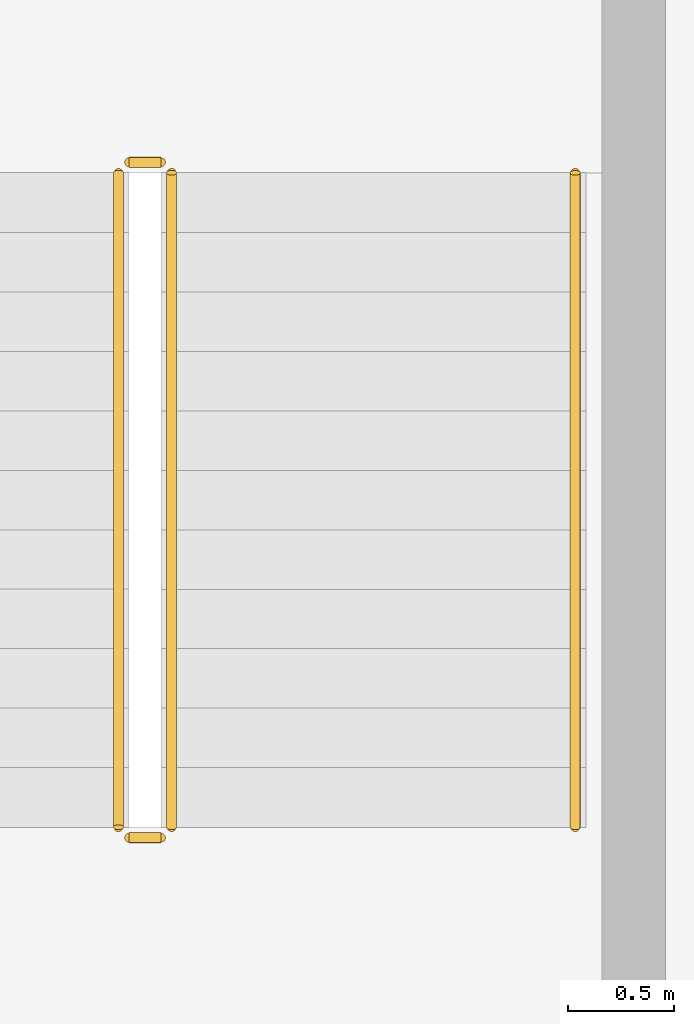
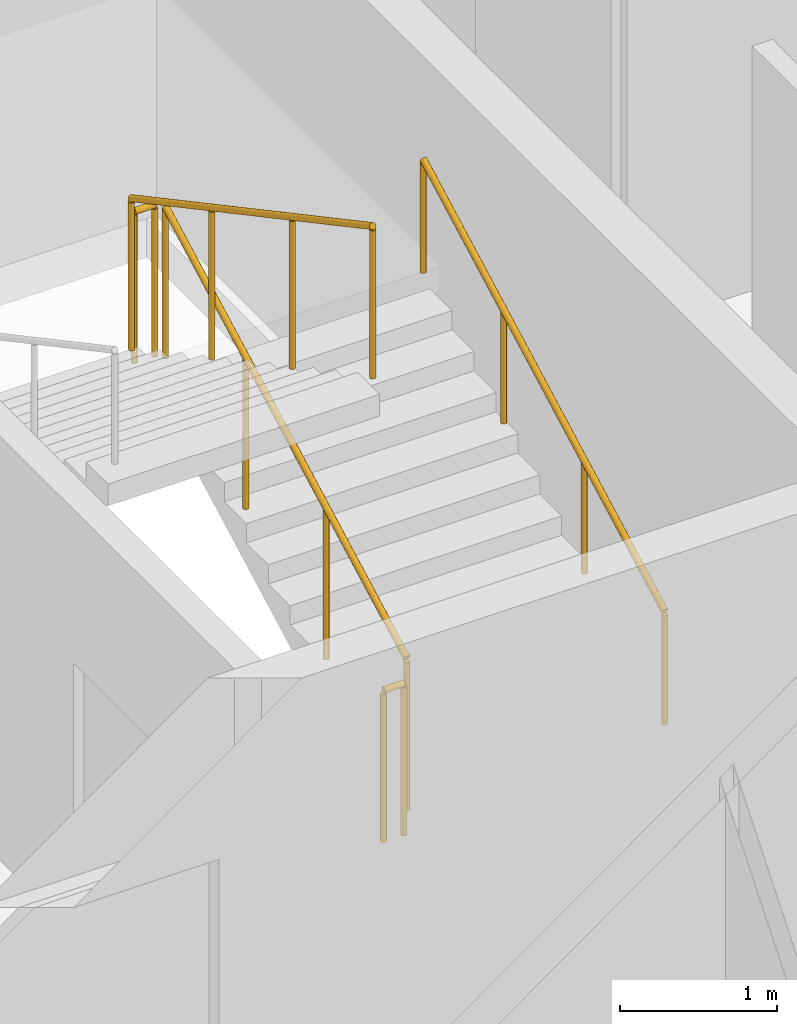
# One storey, part 15 of 15: 5 railings.
"""IFC4 building model written with IfcOpenShell, lengths in metres."""

import ifcopenshell
import ifcopenshell.guid

model = None  # the IFC model being written
_history = None  # IfcOwnerHistory: only IFC2X3 demands one
_inside = {}  # id of a spatial element -> (the spatial element, [elements in it])
_under = {}  # id of a project, library or spatial element -> (it, [spatial elements below it])
_declared = {}  # id of a project -> (the project, [libraries it declares])
_typed = {}  # id of a type object -> (the type object, [elements of that type])
_made_of = {}  # id of a material, layer set ... -> (it, [elements and type objects made of it])


def new_model(schema):
    """Start an empty IFC model of exactly this schema.

    Asked for "IFC4X3", IfcOpenShell would pick the latest addendum, in which some entities
    have other attributes; the version numbers below select the first issue.
    IFC2X3 requires an IfcOwnerHistory on every rooted entity: one is made here for all.
    """
    global model, _history
    if schema == "IFC4X3":
        model = ifcopenshell.file(schema_version=(4, 3, 0, 0))
    else:
        model = ifcopenshell.file(schema=schema)
    _inside.clear()
    _under.clear()
    _declared.clear()
    _typed.clear()
    _made_of.clear()
    _history = None
    if model.schema == "IFC2X3":
        org = make("IfcOrganization", Name="unknown")
        user = make(
            "IfcPersonAndOrganization",
            ThePerson=make("IfcPerson", FamilyName="unknown"),
            TheOrganization=org,
        )
        app = make(
            "IfcApplication",
            ApplicationDeveloper=org,
            Version="unknown",
            ApplicationFullName="unknown",
            ApplicationIdentifier="unknown",
        )
        _history = make(
            "IfcOwnerHistory",
            OwningUser=user,
            OwningApplication=app,
            ChangeAction="ADDED",
            CreationDate=0,
        )
    return model


def make(cls, **values):
    """One entity of the class cls with the attributes given. An attribute that is None is left unset."""
    return model.create_entity(
        cls, **{name: value for name, value in values.items() if value is not None}
    )


def rooted(cls, **values):
    """An entity with a GlobalId (a new one), such as an element, a storey or a relation."""
    return make(cls, GlobalId=ifcopenshell.guid.new(), OwnerHistory=_history, **values)


def si_unit(unit_type, name, prefix=None):
    """IfcSIUnit, for example si_unit("LENGTHUNIT", "METRE", prefix="MILLI")."""
    return make("IfcSIUnit", UnitType=unit_type, Prefix=prefix, Name=name)


def assignment(units):
    """IfcUnitAssignment: the units of a project."""
    return None if units is None else make("IfcUnitAssignment", Units=units)


def point(xyz):
    """IfcCartesianPoint."""
    return None if xyz is None else make("IfcCartesianPoint", Coordinates=xyz)


def direction(xyz):
    """IfcDirection."""
    return None if xyz is None else make("IfcDirection", DirectionRatios=xyz)


def frame(location, z_axis=None, x_axis=None):
    """IfcAxis2Placement3D, a coordinate frame: its origin and axes. An axis left out is left unset."""
    return make(
        "IfcAxis2Placement3D",
        Location=point(location),
        Axis=direction(z_axis),
        RefDirection=direction(x_axis),
    )


def frame_2d(location, x_axis=None):
    """IfcAxis2Placement2D, a coordinate frame in the plane: its origin and x axis."""
    return make(
        "IfcAxis2Placement2D", Location=point(location), RefDirection=direction(x_axis)
    )


def origin():
    """The frame at (0, 0, 0) with its axes left unset."""
    return frame((0.0, 0.0, 0.0))


def origin_2d():
    """The frame at (0, 0) in the plane with its x axis left unset."""
    return frame_2d((0.0, 0.0))


def place(relative_to, where):
    """IfcLocalPlacement: puts the frame where relative to a parent placement (None: the world)."""
    return make(
        "IfcLocalPlacement", PlacementRelTo=relative_to, RelativePlacement=where
    )


def context(
    kind, dimensions, precision=None, world=None, true_north=None, identifier=None
):
    """IfcGeometricRepresentationContext, for example the 3D "Model" context."""
    return make(
        "IfcGeometricRepresentationContext",
        ContextIdentifier=identifier,
        ContextType=kind,
        CoordinateSpaceDimension=dimensions,
        Precision=precision,
        WorldCoordinateSystem=world,
        TrueNorth=true_north,
    )


def subcontext(parent, identifier, kind, view, scale=None):
    """IfcGeometricRepresentationSubContext, for example "Body" below "Model"."""
    return make(
        "IfcGeometricRepresentationSubContext",
        ContextIdentifier=identifier,
        ContextType=kind,
        ParentContext=parent,
        TargetScale=scale,
        TargetView=view,
    )


def project(units=None, contexts=None):
    """IfcProject with its units and contexts."""
    return rooted(
        "IfcProject",
        Name="project",
        RepresentationContexts=contexts,
        UnitsInContext=assignment(units),
    )


def spatial(cls, under=None, at=None, **own):
    """A site, building, storey or space (cls), placed at a placement, below another one or the project."""
    s = rooted(cls, ObjectPlacement=at, **own)
    if under is not None:
        _under.setdefault(under.id(), (under, []))[1].append(s)
    return s


def profile(cls, at=None, kind="AREA", **sizes):
    """A parametric profile (cls). Its sizes go by their IFC names, for example OverallWidth=200.0."""
    return make(cls, ProfileType=kind, Position=at, **sizes)


def circle(**sizes):
    """IfcCircleProfileDef."""
    return profile("IfcCircleProfileDef", **sizes)


def extrude(swept, where, along, depth):
    """IfcExtrudedAreaSolid: the profile swept, set in the frame where, extruded along a direction by depth."""
    return make(
        "IfcExtrudedAreaSolid",
        SweptArea=swept,
        Position=where,
        ExtrudedDirection=direction(along),
        Depth=depth,
    )


def shape(context_of_items, identifier, shape_type, items):
    """IfcShapeRepresentation: the items that make up one representation, for example the "Body"."""
    return make(
        "IfcShapeRepresentation",
        ContextOfItems=context_of_items,
        RepresentationIdentifier=identifier,
        RepresentationType=shape_type,
        Items=items,
    )


def material(Name=None, Category=None):
    """IfcMaterial."""
    return make("IfcMaterial", Name=Name, Category=Category)


def made_of(thing, what):
    """Note that an element or type object is made of a material, layer set ...; save() writes the relation."""
    if what is not None:
        _made_of.setdefault(what.id(), (what, []))[1].append(thing)
    return thing


def type_object(cls, material=None, **own):
    """A type object (cls), such as IfcWallType, which elements share."""
    return made_of(rooted(cls, **own), material)


def element(
    cls,
    number,
    at=None,
    inside=None,
    cuts=None,
    type_object=None,
    material=None,
    context=None,
    identifier="Body",
    shape_type=None,
    held_by="IfcProductDefinitionShape",
    body=None,
    shapes=None,
    **own,
):
    """One element of the class cls, such as IfcWall. Its Tag is "e" and its number.

    at: its placement. inside: the storey or other place that contains it. cuts: it is an
    opening in that element (IfcRelVoidsElement). A single representation is given by context,
    identifier, shape_type and body (its items); several are given by shapes. held_by: the class
    of the entity that holds the representations. save() writes the other relations.
    """
    e = rooted(cls, Tag="e%d" % number, ObjectPlacement=at, **own)
    if body is not None:
        shapes = [shape(context, identifier, shape_type, body)]
    if shapes is not None:
        e.Representation = make(held_by, Representations=shapes)
    if inside is not None:
        _inside.setdefault(inside.id(), (inside, []))[1].append(e)
    if cuts is not None:
        rooted(
            "IfcRelVoidsElement", RelatingBuildingElement=cuts, RelatedOpeningElement=e
        )
    if type_object is not None:
        _typed.setdefault(type_object.id(), (type_object, []))[1].append(e)
    return made_of(e, material)


def aggregate(whole, parts):
    """IfcRelAggregates: a whole, such as a stair, and the parts it consists of."""
    return rooted("IfcRelAggregates", RelatingObject=whole, RelatedObjects=parts)


def save(model, path):
    """Write the relations noted so far, then the file.

    IfcRelAggregates (storeys below a building ...), IfcRelContainedInSpatialStructure (elements
    in a storey), IfcRelDefinesByType, IfcRelAssociatesMaterial and IfcRelDeclares: one each for
    every whole, place, type object, material and project.
    """
    for whole, parts in _under.values():
        aggregate(whole, parts)
    for where, things in _inside.values():
        rooted(
            "IfcRelContainedInSpatialStructure",
            RelatedElements=things,
            RelatingStructure=where,
        )
    for kind, things in _typed.values():
        rooted("IfcRelDefinesByType", RelatedObjects=things, RelatingType=kind)
    for what, things in _made_of.values():
        rooted("IfcRelAssociatesMaterial", RelatedObjects=things, RelatingMaterial=what)
    for by, libraries in _declared.values():
        rooted("IfcRelDeclares", RelatingContext=by, RelatedDefinitions=libraries)
    model.write(path)


model = new_model("IFC4")

# Units and contexts
model_context = context("Model", 3, precision=1e-05, world=origin(), true_north=direction((0.0, 1.0)))
body_context = subcontext(model_context, "Body", "Model", "MODEL_VIEW")
ifc_project = project(units=[si_unit("LENGTHUNIT", "METRE"), si_unit("AREAUNIT", "SQUARE_METRE"), si_unit("VOLUMEUNIT", "CUBIC_METRE"), si_unit("PLANEANGLEUNIT", "RADIAN"), si_unit("MASSUNIT", "GRAM", prefix="KILO")], contexts=[model_context])

# Site, building, storey
site_placement = place(None, origin())
site = spatial("IfcSite", under=ifc_project, at=site_placement, CompositionType="ELEMENT")
building_placement = place(site_placement, origin())
building = spatial("IfcBuilding", under=site, at=building_placement, Name="Caravel Reach Hotel and Residences", CompositionType="ELEMENT")
storey_placement = place(building_placement, frame((0.0, 0.0, 81.60009765625)))
storey = spatial("IfcBuildingStorey", under=building, at=storey_placement, Name="L19", CompositionType="ELEMENT", Elevation=81.60009765625)

# Railings
ifc_material_1 = material(Name="Steel balustrade with glass infill", Category="steel")
railing_type_1 = type_object("IfcRailingType", Name="Guard 1200", PredefinedType="GUARDRAIL", material=ifc_material_1)
railing_1_placement = place(storey_placement, frame((42.824951171875, 24.64990234375, 0.14990234375)))
element("IfcRailing", 1, at=railing_1_placement, inside=storey, type_object=railing_type_1, Name="L19 ST-B stair guard 1", PredefinedType="GUARDRAIL", context=body_context, shape_type="SweptSolid", body=[
    extrude(circle(Radius=0.02392578125, at=origin_2d()), frame((0.0, 0.0, 1.17578125), z_axis=(0.0, 0.881496589024, 0.472190389079), x_axis=(-1.0, 0.0, 0.0)), (0.0, 0.0, 1.0), 3.494140625),
    extrude(circle(Radius=0.02099609375, at=origin_2d()), origin(), (0.0, 0.0, 1.0), 1.15185546875),
    extrude(circle(Radius=0.02099609375, at=origin_2d()), frame((0.0, 1.026611328125, 0.550048828125)), (0.0, 0.0, 1.0), 1.15185546875),
    extrude(circle(Radius=0.02099609375, at=origin_2d()), frame((0.0, 2.053466796875, 1.099853515625)), (0.0, 0.0, 1.0), 1.15185546875),
    extrude(circle(Radius=0.02099609375, at=origin_2d()), frame((0.0, 3.080078125, 1.64990234375)), (0.0, 0.0, 1.0), 1.15185546875),
])
railing_2_placement = place(storey_placement, frame((42.77490234375, 27.780029296875, 1.7998046875)))
element("IfcRailing", 2, at=railing_2_placement, inside=storey, type_object=railing_type_1, Name="L19 ST-B stair guard 2", PredefinedType="GUARDRAIL", context=body_context, shape_type="SweptSolid", body=[
    extrude(circle(Radius=0.02392578125, at=origin_2d()), frame((0.0, 0.0, 1.17578125), z_axis=(-1.0, 0.0, 0.0), x_axis=(0.0, -1.0, 0.0)), (0.0, 0.0, 1.0), 0.14990234375),
    extrude(circle(Radius=0.02099609375, at=origin_2d()), origin(), (0.0, 0.0, 1.0), 1.15185546875),
    extrude(circle(Radius=0.02099609375, at=origin_2d()), frame((-0.14990234375, 0.0, 0.0)), (0.0, 0.0, 1.0), 1.15185546875),
])
railing_3_placement = place(storey_placement, frame((42.574951171875, 27.72998046875, 1.949951171875)))
element("IfcRailing", 3, at=railing_3_placement, inside=storey, type_object=railing_type_1, Name="L19 ST-B stair guard 3", PredefinedType="GUARDRAIL", context=body_context, shape_type="SweptSolid", body=[
    extrude(circle(Radius=0.02392578125, at=origin_2d()), frame((0.0, 0.0, 1.17578125), z_axis=(0.0, -0.881496589024, 0.472190389079), x_axis=(1.0, 0.0, 0.0)), (0.0, 0.0, 1.0), 3.494140625),
    extrude(circle(Radius=0.02099609375, at=origin_2d()), origin(), (0.0, 0.0, 1.0), 1.15185546875),
    extrude(circle(Radius=0.02099609375, at=origin_2d()), frame((0.0, -1.026611328125, 0.550048828125)), (0.0, 0.0, 1.0), 1.15185546875),
    extrude(circle(Radius=0.02099609375, at=origin_2d()), frame((0.0, -2.053466796875, 1.099853515625)), (0.0, 0.0, 1.0), 1.15185546875),
    extrude(circle(Radius=0.02099609375, at=origin_2d()), frame((0.0, -3.080078125, 1.64990234375)), (0.0, 0.0, 1.0), 1.15185546875),
])
railing_4_placement = place(storey_placement, frame((42.77490234375, 24.60009765625, 0.0)))
element("IfcRailing", 4, at=railing_4_placement, inside=storey, type_object=railing_type_1, Name="L19 ST-B stair guard 4", PredefinedType="GUARDRAIL", context=body_context, shape_type="SweptSolid", body=[
    extrude(circle(Radius=0.02392578125, at=origin_2d()), frame((0.0, 0.0, 1.17578125), z_axis=(-1.0, 0.0, 0.0), x_axis=(0.0, -1.0, 0.0)), (0.0, 0.0, 1.0), 0.14990234375),
    extrude(circle(Radius=0.02099609375, at=origin_2d()), origin(), (0.0, 0.0, 1.0), 1.15185546875),
    extrude(circle(Radius=0.02099609375, at=origin_2d()), frame((-0.14990234375, 0.0, 0.0)), (0.0, 0.0, 1.0), 1.15185546875),
])
ifc_material_2 = material(Name="Stainless steel handrail", Category="steel")
railing_type_2 = type_object("IfcRailingType", Name="Handrail 900", PredefinedType="HANDRAIL", material=ifc_material_2)
railing_5_placement = place(storey_placement, frame((44.72509765625, 24.64990234375, 0.14990234375)))
element("IfcRailing", 5, at=railing_5_placement, inside=storey, type_object=railing_type_2, Name="L19 ST-B stair handrail 1", PredefinedType="HANDRAIL", context=body_context, shape_type="SweptSolid", body=[
    extrude(circle(Radius=0.02392578125, at=origin_2d()), frame((0.0, 0.0, 0.8759765625), z_axis=(0.0, 0.881496589024, 0.472190389079), x_axis=(-1.0, 0.0, 0.0)), (0.0, 0.0, 1.0), 3.494140625),
    extrude(circle(Radius=0.02099609375, at=origin_2d()), origin(), (0.0, 0.0, 1.0), 0.851806640625),
    extrude(circle(Radius=0.02099609375, at=origin_2d()), frame((0.0, 1.026611328125, 0.550048828125)), (0.0, 0.0, 1.0), 0.851806640625),
    extrude(circle(Radius=0.02099609375, at=origin_2d()), frame((0.0, 2.053466796875, 1.099853515625)), (0.0, 0.0, 1.0), 0.851806640625),
    extrude(circle(Radius=0.02099609375, at=origin_2d()), frame((0.0, 3.080078125, 1.64990234375)), (0.0, 0.0, 1.0), 0.851806640625),
])

save(model, "model.ifc")
